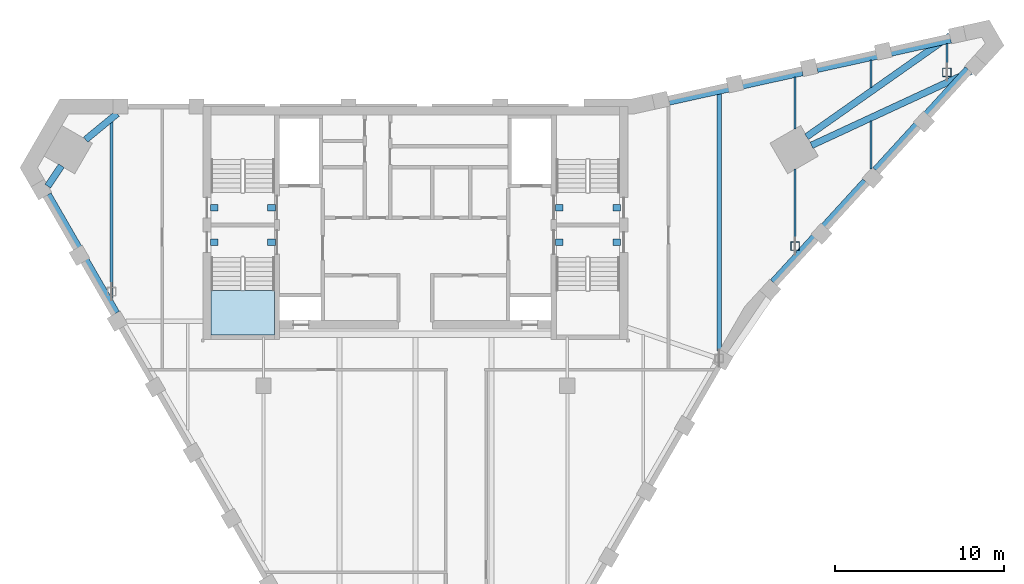
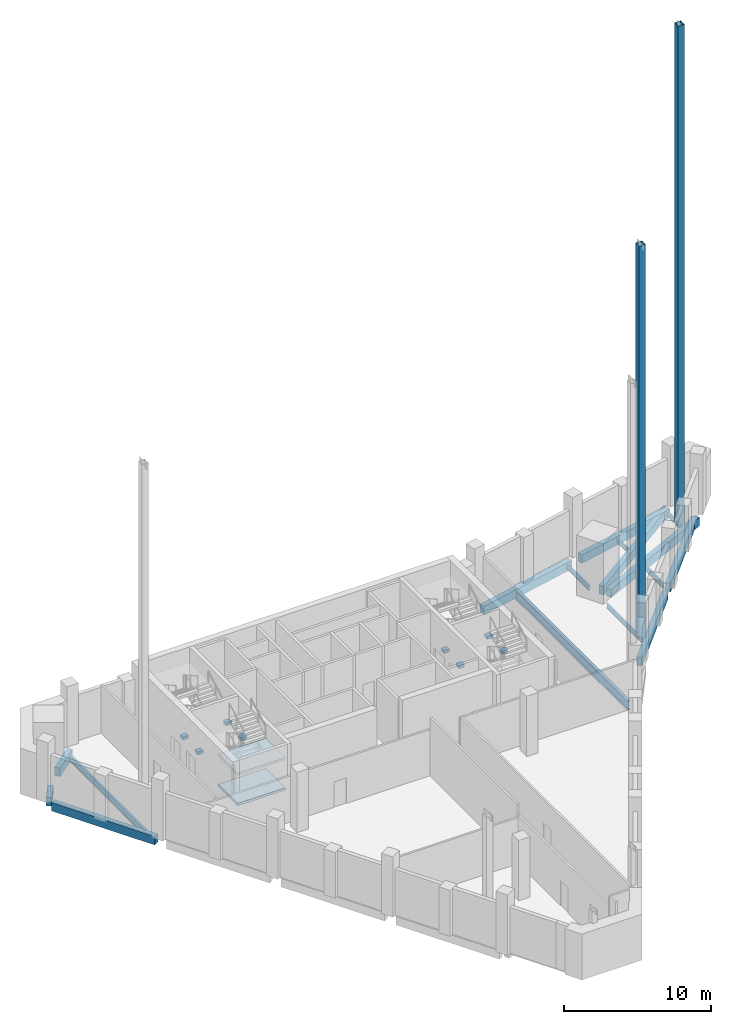
# One storey, part 3 of 11: 24 beams, 2 members, 2 slabs, 1 element without a shape of its own.
"""IFC4 building model written with IfcOpenShell, lengths in metres."""

from ifc_helpers import new_model, si_unit, direction, frame, origin, origin_2d, place, context, subcontext, project, spatial, polyline, rectangle, hollow_rectangle, i_section, outline, extrude, material, layer, layer_set, material_profile, profile_set, type_object, element, aggregate, save


model = new_model("IFC4")

# Units and contexts
model_context = context("Model", 3, precision=1e-05, world=origin(), true_north=direction((0.0, 1.0)))
body_context = subcontext(model_context, "Body", "Model", "MODEL_VIEW")
ifc_project = project(units=[si_unit("LENGTHUNIT", "METRE"), si_unit("AREAUNIT", "SQUARE_METRE"), si_unit("VOLUMEUNIT", "CUBIC_METRE"), si_unit("PLANEANGLEUNIT", "RADIAN"), si_unit("MASSUNIT", "GRAM", prefix="KILO")], contexts=[model_context])

# Site, building, storey
site_placement = place(None, origin())
site = spatial("IfcSite", under=ifc_project, at=site_placement, CompositionType="ELEMENT")
building_placement = place(site_placement, origin())
building = spatial("IfcBuilding", under=site, at=building_placement, Name="Calabash Gate Tower", CompositionType="ELEMENT")
storey_placement = place(building_placement, frame((0.0, 0.0, 310.5)))
storey = spatial("IfcBuildingStorey", under=building, at=storey_placement, Name="L73", CompositionType="ELEMENT", Elevation=310.5)

# Beams
ifc_material_1 = material(Name="Concrete C50/60", Category="concrete")
ifc_material_profile_1 = material_profile(ifc_material_1, rectangle(XDim=0.39990234375, YDim=0.699951171875, at=origin_2d()))
ifc_profile_set_1 = profile_set([ifc_material_profile_1], Name="Concrete C50/60")
beam_type_1 = type_object("IfcBeamType", Name="Edge beam RC 400x700 Concrete C50/60", PredefinedType="BEAM", material=ifc_profile_set_1)
beam_1_placement = place(storey_placement, frame((21.18701171875, 8.652099609375, -0.550048828125), z_axis=(0.674873802315, 0.737933161573, 0.0), x_axis=(-0.737933161573, 0.674873802315, 0.0)))
element("IfcBeam", 1, at=beam_1_placement, inside=storey, type_object=beam_type_1, Name="Edge beam L73 7", PredefinedType="BEAM", context=body_context, shape_type="SweptSolid", body=[
    extrude(rectangle(XDim=0.39990234375, YDim=0.699951171875, at=origin_2d()), origin(), (0.0, 0.0, 1.0), 8.099365234375),
])
beam_2_placement = place(storey_placement, frame((27.260009765625, 15.29296875, -0.550048828125), z_axis=(0.67486440312, 0.737941757459, 0.0), x_axis=(-0.737941757459, 0.67486440312, 0.0)))
element("IfcBeam", 2, at=beam_2_placement, inside=storey, type_object=beam_type_1, Name="Edge beam L73 8", PredefinedType="BEAM", context=body_context, shape_type="SweptSolid", body=[
    extrude(rectangle(XDim=0.39990234375, YDim=0.699951171875, at=origin_2d()), origin(), (0.0, 0.0, 1.0), 8.100830078125),
])
beam_3_placement = place(storey_placement, frame((32.924072265625, 21.1298828125, -0.550048828125), z_axis=(-0.907165927894, -0.420773073364, 0.0), x_axis=(0.420773073364, -0.907165927894, 0.0)))
element("IfcBeam", 3, at=beam_3_placement, inside=storey, type_object=beam_type_1, Name="Edge beam L73 9", PredefinedType="BEAM", context=body_context, shape_type="SweptSolid", body=[
    extrude(rectangle(XDim=0.39990234375, YDim=0.699951171875, at=origin_2d()), origin(), (0.0, 0.0, 1.0), 10.413818359375),
])
beam_4_placement = place(storey_placement, frame((23.18310546875, 17.25390625, -0.550048828125), z_axis=(0.817868224599, 0.575405567571, 0.0), x_axis=(-0.575405567571, 0.817868224599, 0.0)))
element("IfcBeam", 4, at=beam_4_placement, inside=storey, type_object=beam_type_1, Name="Edge beam L73 10", PredefinedType="BEAM", context=body_context, shape_type="SweptSolid", body=[
    extrude(rectangle(XDim=0.39990234375, YDim=0.699951171875, at=origin_2d()), origin(), (0.0, 0.0, 1.0), 10.396484375),
])
beam_5_placement = place(storey_placement, frame((31.72705078125, 23.006103515625, -0.550048828125), z_axis=(-0.976492437334, -0.215551663945, 0.0), x_axis=(0.215551663945, -0.976492437334, 0.0)))
element("IfcBeam", 5, at=beam_5_placement, inside=storey, type_object=beam_type_1, Name="Edge beam L73 11", PredefinedType="BEAM", context=body_context, shape_type="SweptSolid", body=[
    extrude(rectangle(XDim=0.39990234375, YDim=0.699951171875, at=origin_2d()), origin(), (0.0, 0.0, 1.0), 8.1005859375),
])
beam_6_placement = place(storey_placement, frame((22.93603515625, 21.06591796875, -0.550048828125), z_axis=(-0.976517152373, -0.215439669332, 0.0), x_axis=(0.215439669332, -0.976517152373, 0.0)))
element("IfcBeam", 6, at=beam_6_placement, inside=storey, type_object=beam_type_1, Name="Edge beam L73 12", PredefinedType="BEAM", context=body_context, shape_type="SweptSolid", body=[
    extrude(rectangle(XDim=0.39990234375, YDim=0.699951171875, at=origin_2d()), origin(), (0.0, 0.0, 1.0), 8.09912109375),
])
beam_7_placement = place(storey_placement, frame((-17.673095703125, 18.623046875, -0.550048828125), z_axis=(-0.77193605732, -0.635700183585, 0.0), x_axis=(0.635700183585, -0.77193605732, 0.0)))
element("IfcBeam", 7, at=beam_7_placement, inside=storey, type_object=beam_type_1, Name="Edge beam L73 13", PredefinedType="BEAM", context=body_context, shape_type="SweptSolid", body=[
    extrude(rectangle(XDim=0.39990234375, YDim=0.699951171875, at=origin_2d()), origin(), (0.0, 0.0, 1.0), 2.421142578125),
])
beam_8_placement = place(storey_placement, frame((-20.97412109375, 15.535888671875, -0.550048828125), z_axis=(-0.556208441461, -0.831042820586, 0.0), x_axis=(0.831042820586, -0.556208441461, 0.0)))
element("IfcBeam", 8, at=beam_8_placement, inside=storey, type_object=beam_type_1, Name="Edge beam L73 14", PredefinedType="BEAM", context=body_context, shape_type="SweptSolid", body=[
    extrude(rectangle(XDim=0.39990234375, YDim=0.699951171875, at=origin_2d()), origin(), (0.0, 0.0, 1.0), 1.4560546875),
])
beam_9_placement = place(storey_placement, frame((-21.763916015625, 13.830078125, -0.550048828125), z_axis=(0.500016430238, -0.866015917575, 0.0), x_axis=(0.866015917575, 0.500016430238, 0.0)))
element("IfcBeam", 9, at=beam_9_placement, inside=storey, type_object=beam_type_1, Name="Edge beam L73 15", PredefinedType="BEAM", context=body_context, shape_type="SweptSolid", body=[
    extrude(rectangle(XDim=0.39990234375, YDim=0.699951171875, at=origin_2d()), origin(), (0.0, 0.0, 1.0), 8.099365234375),
])
ifc_material_2 = material(Name="Steel ASTM A992 Gr50", Category="steel")
ifc_material_profile_2 = material_profile(ifc_material_2, i_section(OverallWidth=0.1396484375, OverallDepth=0.398681640625, WebThickness=0.00634765625, FlangeThickness=0.0087890625, FilletRadius=0.01025390625, at=origin_2d()))
ifc_profile_set_2 = profile_set([ifc_material_profile_2], Name="Steel ASTM A992 Gr50")
beam_type_2 = type_object("IfcBeamType", Name="Floor beam W16x26 ASTM A992 Gr50", PredefinedType="BEAM", material=ifc_profile_set_2)
beam_10_placement = place(storey_placement, frame((22.5, 10.3720703125, -0.39892578125), z_axis=(0.0, 1.0, 0.0), x_axis=(-1.0, 0.0, 0.0)))
element("IfcBeam", 10, at=beam_10_placement, inside=storey, type_object=beam_type_2, Name="Floor beam L73 16", PredefinedType="BEAM", context=body_context, shape_type="SweptSolid", body=[
    extrude(i_section(OverallWidth=0.1396484375, OverallDepth=0.398681640625, WebThickness=0.00634765625, FlangeThickness=0.0087890625, FilletRadius=0.01025390625, at=origin_2d()), origin(), (0.0, 0.0, 1.0), 4.969970703125),
])
beam_11_placement = place(storey_placement, frame((22.5, 17.702880859375, -0.39892578125), z_axis=(0.0, 1.0, 0.0), x_axis=(-1.0, 0.0, 0.0)))
element("IfcBeam", 11, at=beam_11_placement, inside=storey, type_object=beam_type_2, Name="Floor beam L73 17", PredefinedType="BEAM", context=body_context, shape_type="SweptSolid", body=[
    extrude(i_section(OverallWidth=0.1396484375, OverallDepth=0.398681640625, WebThickness=0.00634765625, FlangeThickness=0.0087890625, FilletRadius=0.01025390625, at=origin_2d()), origin(), (0.0, 0.0, 1.0), 3.09423828125),
])
beam_12_placement = place(storey_placement, frame((27.0, 15.35693359375, -0.39892578125), z_axis=(0.0, 1.0, 0.0), x_axis=(-1.0, 0.0, 0.0)))
element("IfcBeam", 12, at=beam_12_placement, inside=storey, type_object=beam_type_2, Name="Floor beam L73 18", PredefinedType="BEAM", context=body_context, shape_type="SweptSolid", body=[
    extrude(i_section(OverallWidth=0.1396484375, OverallDepth=0.398681640625, WebThickness=0.00634765625, FlangeThickness=0.0087890625, FilletRadius=0.01025390625, at=origin_2d()), origin(), (0.0, 0.0, 1.0), 2.8271484375),
])
beam_13_placement = place(storey_placement, frame((27.0, 20.172119140625, -0.39892578125), z_axis=(0.0, 1.0, 0.0), x_axis=(-1.0, 0.0, 0.0)))
element("IfcBeam", 13, at=beam_13_placement, inside=storey, type_object=beam_type_2, Name="Floor beam L73 19", PredefinedType="BEAM", context=body_context, shape_type="SweptSolid", body=[
    extrude(i_section(OverallWidth=0.1396484375, OverallDepth=0.398681640625, WebThickness=0.00634765625, FlangeThickness=0.0087890625, FilletRadius=0.01025390625, at=origin_2d()), origin(), (0.0, 0.0, 1.0), 1.617919921875),
])
beam_14_placement = place(storey_placement, frame((31.5, 20.66796875, -0.39892578125), z_axis=(0.0, 1.0, 0.0), x_axis=(-1.0, 0.0, 0.0)))
element("IfcBeam", 14, at=beam_14_placement, inside=storey, type_object=beam_type_2, Name="Floor beam L73 20", PredefinedType="BEAM", context=body_context, shape_type="SweptSolid", body=[
    extrude(i_section(OverallWidth=0.1396484375, OverallDepth=0.398681640625, WebThickness=0.00634765625, FlangeThickness=0.0087890625, FilletRadius=0.01025390625, at=origin_2d()), origin(), (0.0, 0.0, 1.0), 2.114990234375),
])
ifc_material_3 = material(Name="Steel ASTM A992 Gr50", Category="steel")
ifc_material_profile_3 = material_profile(ifc_material_3, i_section(OverallWidth=0.166015625, OverallDepth=0.5283203125, WebThickness=0.009765625, FlangeThickness=0.013671875, FilletRadius=0.0126953125, at=origin_2d()))
ifc_profile_set_3 = profile_set([ifc_material_profile_3], Name="Steel ASTM A992 Gr50")
beam_type_3 = type_object("IfcBeamType", Name="Floor beam W21x50 ASTM A992 Gr50", PredefinedType="BEAM", material=ifc_profile_set_3)
beam_15_placement = place(storey_placement, frame((-18.0, 7.679931640625, -0.464111328125), z_axis=(0.0, 1.0, 0.0), x_axis=(-1.0, 0.0, 0.0)))
element("IfcBeam", 15, at=beam_15_placement, inside=storey, type_object=beam_type_3, Name="Floor beam L73 1", PredefinedType="BEAM", context=body_context, shape_type="SweptSolid", body=[
    extrude(i_section(OverallWidth=0.166015625, OverallDepth=0.5283203125, WebThickness=0.009765625, FlangeThickness=0.013671875, FilletRadius=0.0126953125, at=origin_2d()), origin(), (0.0, 0.0, 1.0), 10.43701171875),
])
ifc_material_4 = material(Name="Steel ASTM A992 Gr50", Category="steel")
ifc_material_profile_4 = material_profile(ifc_material_4, i_section(OverallWidth=0.2666015625, OverallDepth=0.7568359375, WebThickness=0.013916015625, FlangeThickness=0.019287109375, FilletRadius=0.0166015625, at=origin_2d()))
ifc_profile_set_4 = profile_set([ifc_material_profile_4], Name="Steel ASTM A992 Gr50")
beam_type_4 = type_object("IfcBeamType", Name="Floor beam W30x108 ASTM A992 Gr50", PredefinedType="BEAM", material=ifc_profile_set_4)
beam_16_placement = place(storey_placement, frame((18.0, 4.547119140625, -0.577880859375), z_axis=(0.0, 1.0, 0.0), x_axis=(-1.0, 0.0, 0.0)))
element("IfcBeam", 16, at=beam_16_placement, inside=storey, type_object=beam_type_4, Name="Floor beam L73 15", PredefinedType="BEAM", context=body_context, shape_type="SweptSolid", body=[
    extrude(i_section(OverallWidth=0.2666015625, OverallDepth=0.7568359375, WebThickness=0.013916015625, FlangeThickness=0.019287109375, FilletRadius=0.0166015625, at=origin_2d()), origin(), (0.0, 0.0, 1.0), 15.2568359375),
])
ifc_material_5 = material(Name="Concrete C60/75", Category="concrete")
ifc_material_profile_5 = material_profile(ifc_material_5, rectangle(XDim=0.39990234375, YDim=0.25, at=origin_2d()))
ifc_profile_set_5 = profile_set([ifc_material_profile_5], Name="Concrete C60/75")
beam_type_5 = type_object("IfcBeamType", Name="Landing corbel RC 400x250 Concrete C60/75", PredefinedType="BEAM", material=ifc_profile_set_5)
for number, where, z_axis, x_axis, name in (
    (17, (-12.14990234375, 13.052978515625, 2.174072265625), (1.0, 0.0, 0.0), (0.0, 1.0, 0.0), "Landing corbel ST1-L73/L2 west"),
    (18, (-8.300048828125, 13.052978515625, 2.174072265625), (-1.0, 0.0, 0.0), (0.0, -1.0, 0.0), "Landing corbel ST1-L73/L2 east"),
    (19, (-12.14990234375, 11.0029296875, 2.174072265625), (1.0, 0.0, 0.0), (0.0, 1.0, 0.0), "Landing corbel ST2-L73/L2 west"),
    (20, (-8.300048828125, 11.0029296875, 2.174072265625), (-1.0, 0.0, 0.0), (0.0, -1.0, 0.0), "Landing corbel ST2-L73/L2 east"),
    (21, (8.300048828125, 13.052978515625, 2.174072265625), (1.0, 0.0, 0.0), (0.0, 1.0, 0.0), "Landing corbel ST3-L73/L2 west"),
    (22, (12.14990234375, 13.052978515625, 2.174072265625), (-1.0, 0.0, 0.0), (0.0, -1.0, 0.0), "Landing corbel ST3-L73/L2 east"),
    (23, (8.300048828125, 11.0029296875, 2.174072265625), (1.0, 0.0, 0.0), (0.0, 1.0, 0.0), "Landing corbel ST4-L73/L2 west"),
    (24, (12.14990234375, 11.0029296875, 2.174072265625), (-1.0, 0.0, 0.0), (0.0, -1.0, 0.0), "Landing corbel ST4-L73/L2 east"),
):
    element("IfcBeam", number, at=place(storey_placement, frame(where, z_axis=z_axis, x_axis=x_axis)), inside=storey, type_object=beam_type_5, Name=name, PredefinedType="BEAM", context=body_context, shape_type="SweptSolid", body=[
        extrude(rectangle(XDim=0.39990234375, YDim=0.25, at=origin_2d()), origin(), (0.0, 0.0, 1.0), 0.449951171875),
    ])

# Members
ifc_material_6 = material(Name="Steel ASTM A500 Gr C", Category="steel")
ifc_material_profile_6 = material_profile(ifc_material_6, hollow_rectangle(XDim=0.508056640625, YDim=0.508056640625, WallThickness=0.01904296875, at=origin_2d()))
ifc_profile_set_6 = profile_set([ifc_material_profile_6], Name="Steel ASTM A500 Gr C")
member_type = type_object("IfcMemberType", Name="Roof post HSS20X20X.750 ASTM A500 Gr C", PredefinedType="POST", material=ifc_profile_set_6)
member_1_placement = place(storey_placement, frame((22.5, 10.77197265625, -0.199951171875), z_axis=(0.0, 0.0, 1.0), x_axis=(1.0, 0.0, 0.0)))
element("IfcMember", 25, at=member_1_placement, inside=storey, type_object=member_type, Name="Roof post 13", PredefinedType="POST", context=body_context, shape_type="SweptSolid", body=[
    extrude(hollow_rectangle(XDim=0.508056640625, YDim=0.508056640625, WallThickness=0.01904296875, at=origin_2d()), origin(), (0.0, 0.0, 1.0), 32.52587890625),
])
member_2_placement = place(storey_placement, frame((31.5, 21.068115234375, -0.199951171875), z_axis=(0.0, 0.0, 1.0), x_axis=(1.0, 0.0, 0.0)))
element("IfcMember", 26, at=member_2_placement, inside=storey, type_object=member_type, Name="Roof post 15", PredefinedType="POST", context=body_context, shape_type="SweptSolid", body=[
    extrude(hollow_rectangle(XDim=0.508056640625, YDim=0.508056640625, WallThickness=0.01904296875, at=origin_2d()), origin(), (0.0, 0.0, 1.0), 41.365966796875),
])

# Stair, slabs
ifc_material_7 = material(Name="Concrete C40/50", Category="concrete")
stair_type = type_object("IfcStairType", Name="Exit stair 32 risers of 156.2 mm", PredefinedType="HALF_TURN_STAIR", material=ifc_material_7)
stair_placement = place(storey_placement, origin())
stair = element("IfcStair", 27, at=stair_placement, inside=storey, type_object=stair_type, Name="L73 Exit stair ST2", PredefinedType="HALF_TURN_STAIR")
ifc_material_8 = material(Name="Concrete C40/50", Category="concrete")
ifc_layer = layer(ifc_material_8, 0.199951171875)
ifc_layer_set = layer_set([ifc_layer], Name="Stair landing SL200")
slab_type = type_object("IfcSlabType", Name="Stair landing SL200", PredefinedType="LANDING", material=ifc_layer_set)
slab_1_placement = place(storey_placement, frame((0.0, 0.0, 1.050048828125)))
slab_1 = element("IfcSlab", 28, at=slab_1_placement, type_object=slab_type, Name="ST2 landing 1", PredefinedType="LANDING", context=body_context, shape_type="SweptSolid", body=[
    extrude(outline(polyline([(-12.10009765625, 8.149658203125), (-12.10009765625, 5.502685546875), (-8.35009765625, 5.502685546875), (-8.35009765625, 8.149658203125), (-12.10009765625, 8.149658203125)])), origin(), (0.0, 0.0, 1.0), 0.199951171875),
])
slab_2_placement = place(storey_placement, frame((0.0, 0.0, 3.550048828125)))
slab_2 = element("IfcSlab", 29, at=slab_2_placement, type_object=slab_type, Name="ST2 landing 3", PredefinedType="LANDING", context=body_context, shape_type="SweptSolid", body=[
    extrude(outline(polyline([(-12.10009765625, 8.149658203125), (-12.10009765625, 5.502685546875), (-8.35009765625, 5.502685546875), (-8.35009765625, 8.149658203125), (-12.10009765625, 8.149658203125)])), origin(), (0.0, 0.0, 1.0), 0.199951171875),
])
aggregate(stair, [slab_1, slab_2])

save(model, "model.ifc")
